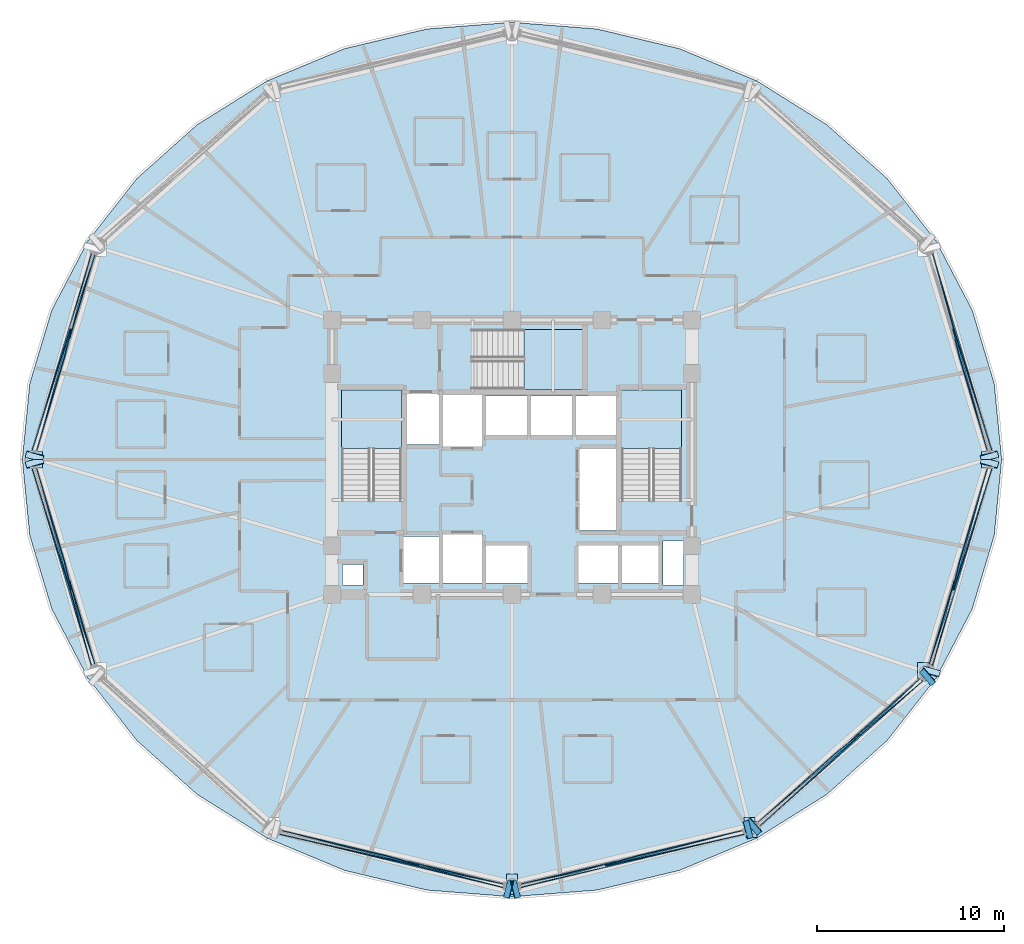
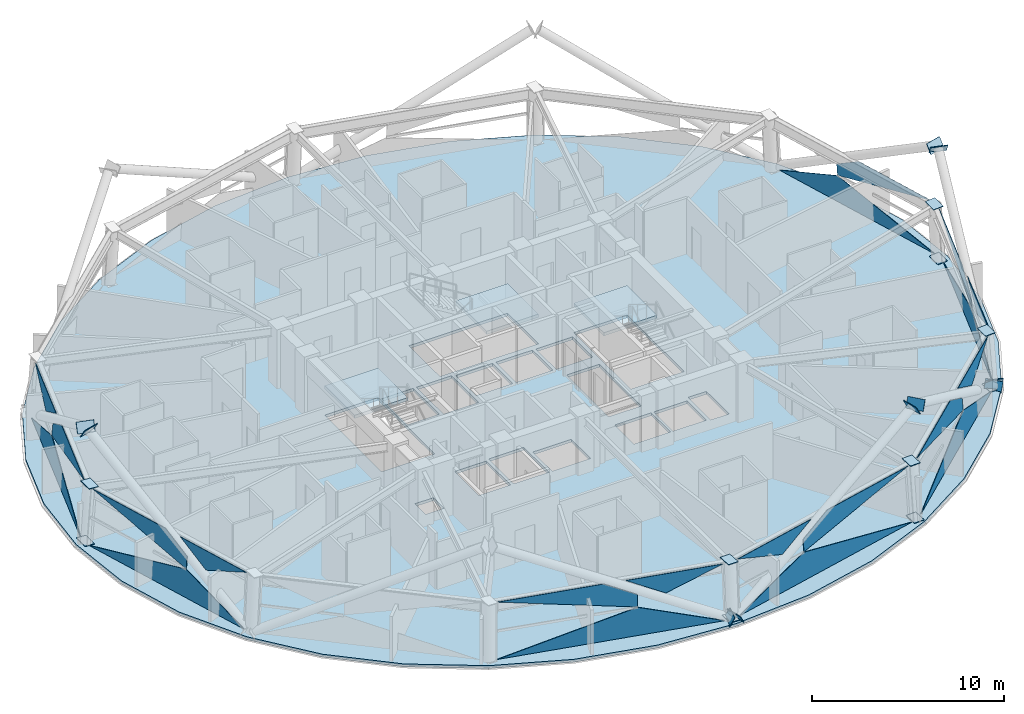
# One storey, part 4 of 14: 40 plates, 4 slabs, 10 elements without a shape of their own.
"""IFC4 building model written with IfcOpenShell, lengths in metres."""

from ifc_helpers import new_model, si_unit, direction, frame, origin, place, context, subcontext, project, spatial, polyline, outline, extrude, material, layer, layer_set, type_object, element, aggregate, save


model = new_model("IFC4")

# Units and contexts
model_context = context("Model", 3, precision=1e-05, world=origin(), true_north=direction((0.0, 1.0)))
body_context = subcontext(model_context, "Body", "Model", "MODEL_VIEW")
ifc_project = project(units=[si_unit("LENGTHUNIT", "METRE"), si_unit("AREAUNIT", "SQUARE_METRE"), si_unit("VOLUMEUNIT", "CUBIC_METRE"), si_unit("PLANEANGLEUNIT", "RADIAN"), si_unit("MASSUNIT", "GRAM", prefix="KILO")], contexts=[model_context])

# Site, building, storey
site_placement = place(None, origin())
site = spatial("IfcSite", under=ifc_project, at=site_placement, CompositionType="ELEMENT")
building_placement = place(site_placement, origin())
building = spatial("IfcBuilding", under=site, at=building_placement, Name="Vantalir Tower", CompositionType="ELEMENT")
storey_placement = place(building_placement, frame((0.0, 0.0, 112.199951171875)))
storey = spatial("IfcBuildingStorey", under=building, at=storey_placement, Name="L27", CompositionType="ELEMENT", Elevation=112.199951171875)

# Curtain wall, plates
ifc_material_1 = material(Name="Champagne-silver PVDF aluminium and double-silver Low-E glass", Category="aluminium")
ifc_layer_1 = layer(ifc_material_1, 0.199951171875)
ifc_layer_set_1 = layer_set([ifc_layer_1], Name="Champagne-silver PVDF aluminium and double-silver Low-E glass")
curtain_wall_type = type_object("IfcCurtainWallType", Name="CW-DIAMOND-Z2", PredefinedType="USERDEFINED", material=ifc_layer_set_1)
curtain_wall_1_placement = place(storey_placement, origin())
curtain_wall_1 = element("IfcCurtainWall", 1, at=curtain_wall_1_placement, inside=storey, type_object=curtain_wall_type, Name="L27 Quilted Pyramid-Diamond Curtain Wall S01", ObjectType="UNITISED CURTAIN WALL", PredefinedType="USERDEFINED")
ifc_material_2 = material(Name="Double-silver Low-E laminated glass IGU", Category="glass")
ifc_layer_2 = layer(ifc_material_2, 0.028076171875)
ifc_layer_set_2 = layer_set([ifc_layer_2], Name="Double-silver Low-E laminated glass IGU")
plate_type_1 = type_object("IfcPlateType", Name="CWP-IGU-28", PredefinedType="CURTAIN_PANEL", material=ifc_layer_set_2)
plate_1_placement = place(storey_placement, frame((57.14697265625, 25.435546875, 0.04638671875), z_axis=(0.956250051915, 0.287489428535, 0.054181793011), x_axis=(-0.287913490676, 0.957656421376, 2.2020152e-05)))
plate_1 = element("IfcPlate", 2, at=plate_1_placement, type_object=plate_type_1, Name="CW-L27-S01 Pyramid Diamond Facet 1L", PredefinedType="CURTAIN_PANEL", context=body_context, shape_type="SweptSolid", body=[
    extrude(outline(polyline([(0.0, 0.0), (11.08714518511539, -2.0383000842727483e-17), (6.868125258690707, 1.7291954401565304), (0.0, 0.0)])), origin(), (0.0, 0.0, -1.0), 0.028076171875),
])
plate_2_placement = place(storey_placement, frame((56.899169921875, 25.435791015625, 3.523681640625), z_axis=(0.954471363212, 0.286900137808, 0.081686765962), x_axis=(-0.28785851301, 0.957672947478, -4.6436917e-05)))
plate_2 = element("IfcPlate", 3, at=plate_2_placement, type_object=plate_type_1, Name="CW-L27-S01 Pyramid Diamond Facet 2U", PredefinedType="CURTAIN_PANEL", context=body_context, shape_type="SweptSolid", body=[
    extrude(outline(polyline([(0.0, 0.0), (5.164919996721921, -8.483881999699072e-18), (6.796688455748562, -0.9790304716501723), (6.796854231395574, -1.7322758961500324), (0.0, 0.0)])), origin(), (0.0, 0.0, -1.0), 0.028076171875),
])
aggregate(curtain_wall_1, [plate_1, plate_2])

curtain_wall_2_placement = place(storey_placement, origin())
curtain_wall_2 = element("IfcCurtainWall", 4, at=curtain_wall_2_placement, inside=storey, type_object=curtain_wall_type, Name="L27 Quilted Pyramid-Diamond Curtain Wall S06", ObjectType="UNITISED CURTAIN WALL", PredefinedType="USERDEFINED")
plate_3_placement = place(storey_placement, frame((9.045166015625, 36.05322265625, 0.046630859375), z_axis=(-0.956250051915, 0.287489428535, 0.054181793011), x_axis=(-0.287913490676, -0.957656421376, -2.2020152e-05)))
plate_3 = element("IfcPlate", 5, at=plate_3_placement, type_object=plate_type_1, Name="CW-L27-S06 Pyramid Diamond Facet 1L", PredefinedType="CURTAIN_PANEL", context=body_context, shape_type="SweptSolid", body=[
    extrude(outline(polyline([(0.0, 0.0), (11.08714518511539, 2.0383000842727483e-17), (4.21901992642468, 1.7291954401565306), (0.0, 0.0)])), origin(), (0.0, 0.0, -1.0), 0.028076171875),
])
plate_4_placement = place(storey_placement, frame((7.587646484375, 30.382080078125, 3.5234375), z_axis=(-0.954471363212, 0.286900137808, 0.081686765962), x_axis=(-0.28785851301, -0.957672947478, 4.6436917e-05)))
plate_4 = element("IfcPlate", 6, at=plate_4_placement, type_object=plate_type_1, Name="CW-L27-S06 Pyramid Diamond Facet 2U", PredefinedType="CURTAIN_PANEL", context=body_context, shape_type="SweptSolid", body=[
    extrude(outline(polyline([(0.0, 0.0), (5.164919996721921, 8.483881999699072e-18), (-1.6319342346736536, -1.7322758961500324), (-1.6317684590266406, -0.9790304716501723), (0.0, 0.0)])), origin(), (0.0, 0.0, -1.0), 0.028076171875),
])
plate_5_placement = place(storey_placement, frame((9.228271484375, 35.95166015625, 3.52587890625), z_axis=(-0.954485241207, 0.286888552598, 0.081565205236), x_axis=(-0.287843586316, -0.957677433752, 5.1957326e-05)))
plate_5 = element("IfcPlate", 7, at=plate_5_placement, type_object=plate_type_1, Name="CW-L27-S06 Pyramid Diamond Facet 2U Infill Light", PredefinedType="CURTAIN_PANEL", context=body_context, shape_type="SweptSolid", body=[
    extrude(outline(polyline([(0.0, 0.0), (4.698868158949879, 1.5449880957918438e-17), (2.7778726488676955, -1.1526666495825086), (0.0, 0.0)])), origin(), (0.0, 0.0, -1.0), 0.028076171875),
])
aggregate(curtain_wall_2, [plate_3, plate_4, plate_5])

curtain_wall_3_placement = place(storey_placement, origin())
curtain_wall_3 = element("IfcCurtainWall", 8, at=curtain_wall_3_placement, inside=storey, type_object=curtain_wall_type, Name="L27 Quilted Pyramid-Diamond Curtain Wall S07", ObjectType="UNITISED CURTAIN WALL", PredefinedType="USERDEFINED")
plate_6_placement = place(storey_placement, frame((5.85302734375, 24.564453125, 0.04638671875), z_axis=(-0.956250051915, -0.287489428535, 0.054181793011), x_axis=(0.287913490676, -0.957656421376, 2.2020152e-05)))
plate_6 = element("IfcPlate", 9, at=plate_6_placement, type_object=plate_type_1, Name="CW-L27-S07 Pyramid Diamond Facet 1L", PredefinedType="CURTAIN_PANEL", context=body_context, shape_type="SweptSolid", body=[
    extrude(outline(polyline([(0.0, 0.0), (11.08714518511539, -2.0383000842727483e-17), (6.868125258690707, 1.7291954401565304), (0.0, 0.0)])), origin(), (0.0, 0.0, -1.0), 0.028076171875),
])
plate_7_placement = place(storey_placement, frame((6.100830078125, 24.564208984375, 3.523681640625), z_axis=(-0.954471363212, -0.286900137808, 0.081686765962), x_axis=(0.28785851301, -0.957672947478, -4.6436917e-05)))
plate_7 = element("IfcPlate", 10, at=plate_7_placement, type_object=plate_type_1, Name="CW-L27-S07 Pyramid Diamond Facet 2U", PredefinedType="CURTAIN_PANEL", context=body_context, shape_type="SweptSolid", body=[
    extrude(outline(polyline([(0.0, 0.0), (5.164919996721921, -8.483881999699072e-18), (6.796688455748562, -0.9790304716501723), (6.796854231395574, -1.7322758961500324), (0.0, 0.0)])), origin(), (0.0, 0.0, -1.0), 0.028076171875),
])
plate_8_placement = place(storey_placement, frame((7.875732421875, 18.54833984375, 3.526123046875), z_axis=(-0.954485241207, -0.286888552598, 0.081565205236), x_axis=(0.287843586316, -0.957677433752, -5.1957326e-05)))
plate_8 = element("IfcPlate", 11, at=plate_8_placement, type_object=plate_type_1, Name="CW-L27-S07 Pyramid Diamond Facet 2U Infill Light", PredefinedType="CURTAIN_PANEL", context=body_context, shape_type="SweptSolid", body=[
    extrude(outline(polyline([(0.0, 0.0), (4.698868158949879, -1.5449880957918438e-17), (1.9209955100821836, -1.1526666495825089), (0.0, 0.0)])), origin(), (0.0, 0.0, -1.0), 0.028076171875),
])
aggregate(curtain_wall_3, [plate_6, plate_7, plate_8])

curtain_wall_4_placement = place(storey_placement, origin())
curtain_wall_4 = element("IfcCurtainWall", 12, at=curtain_wall_4_placement, inside=storey, type_object=curtain_wall_type, Name="L27 Quilted Pyramid-Diamond Curtain Wall S09", ObjectType="UNITISED CURTAIN WALL", PredefinedType="USERDEFINED")
plate_9_placement = place(storey_placement, frame((19.053466796875, 4.994384765625, 0.04638671875), z_axis=(-0.23200718016, -0.971513603298, 0.048311354362), x_axis=(0.972649563879, -0.23227747522, 1.9781764e-05)))
plate_9 = element("IfcPlate", 13, at=plate_9_placement, type_object=plate_type_1, Name="CW-L27-S09 Pyramid Diamond Facet 1L", PredefinedType="CURTAIN_PANEL", context=body_context, shape_type="SweptSolid", body=[
    extrude(outline(polyline([(0.0, 0.0), (12.341701303755851, -2.973424458041496e-17), (7.644293803098523, 1.7291628051428056), (0.0, 0.0)])), origin(), (0.0, 0.0, -1.0), 0.028076171875),
])
plate_10_placement = place(storey_placement, frame((19.177490234375, 5.187255859375, 3.523681640625), z_axis=(-0.231669155599, -0.969844123046, 0.075708515614), x_axis=(0.972635603784, -0.232335925442, 4.90982e-07)))
plate_10 = element("IfcPlate", 14, at=plate_10_placement, type_object=plate_type_1, Name="CW-L27-S09 Pyramid Diamond Facet 2U", PredefinedType="CURTAIN_PANEL", context=body_context, shape_type="SweptSolid", body=[
    extrude(outline(polyline([(0.0, 0.0), (5.771197925960725, -1.3877787807814457e-17), (7.56851677454341, -0.9761940728206655), (7.568626333196413, -1.7322674259970217), (0.0, 0.0)])), origin(), (0.0, 0.0, -1.0), 0.028076171875),
])
plate_11_placement = place(storey_placement, frame((25.94482421875, 3.5380859375, 3.526123046875), z_axis=(-0.231660806361, -0.969836826679, 0.075827438393), x_axis=(0.972636269457, -0.232333134041, -4.651314e-05)))
plate_11 = element("IfcPlate", 15, at=plate_11_placement, type_object=plate_type_1, Name="CW-L27-S09 Pyramid Diamond Facet 2U Infill Light", PredefinedType="CURTAIN_PANEL", context=body_context, shape_type="SweptSolid", body=[
    extrude(outline(polyline([(0.0, 0.0), (5.248852803140406, 2.7484525072507537e-17), (2.1368295359106915, -1.1604682129141748), (0.0, 0.0)])), origin(), (0.0, 0.0, -1.0), 0.028076171875),
])
aggregate(curtain_wall_4, [plate_9, plate_10, plate_11])

curtain_wall_5_placement = place(storey_placement, origin())
curtain_wall_5 = element("IfcCurtainWall", 16, at=curtain_wall_5_placement, inside=storey, type_object=curtain_wall_type, Name="L27 Quilted Pyramid-Diamond Curtain Wall S10", ObjectType="UNITISED CURTAIN WALL", PredefinedType="USERDEFINED")
plate_12_placement = place(storey_placement, frame((31.9423828125, 2.127685546875, 0.046630859375), z_axis=(0.23200718016, -0.971513603298, 0.048311354362), x_axis=(0.972649563879, 0.23227747522, -1.9781764e-05)))
plate_12 = element("IfcPlate", 17, at=plate_12_placement, type_object=plate_type_1, Name="CW-L27-S10 Pyramid Diamond Facet 1L", PredefinedType="CURTAIN_PANEL", context=body_context, shape_type="SweptSolid", body=[
    extrude(outline(polyline([(0.0, 0.0), (12.341701303755851, 2.973424458041496e-17), (4.697407500657327, 1.7291628051428056), (0.0, 0.0)])), origin(), (0.0, 0.0, -1.0), 0.028076171875),
])
plate_13_placement = place(storey_placement, frame((38.209228515625, 3.846435546875, 3.523681640625), z_axis=(0.231669155599, -0.969844123046, 0.075708515614), x_axis=(0.972635603784, 0.232335925442, -4.90982e-07)))
plate_13 = element("IfcPlate", 18, at=plate_13_placement, type_object=plate_type_1, Name="CW-L27-S10 Pyramid Diamond Facet 2U", PredefinedType="CURTAIN_PANEL", context=body_context, shape_type="SweptSolid", body=[
    extrude(outline(polyline([(0.0, 0.0), (5.771197925960725, 1.3877787807814457e-17), (-1.7974284072356879, -1.7322674259970217), (-1.7973188485826848, -0.9761940728206655), (0.0, 0.0)])), origin(), (0.0, 0.0, -1.0), 0.028076171875),
])
plate_14_placement = place(storey_placement, frame((31.949951171875, 2.318603515625, 3.52587890625), z_axis=(0.231660806361, -0.969836826679, 0.075827438393), x_axis=(0.972636269457, 0.232333134041, 4.651314e-05)))
plate_14 = element("IfcPlate", 19, at=plate_14_placement, type_object=plate_type_1, Name="CW-L27-S10 Pyramid Diamond Facet 2U Infill Light", PredefinedType="CURTAIN_PANEL", context=body_context, shape_type="SweptSolid", body=[
    extrude(outline(polyline([(0.0, 0.0), (5.248852803140406, -2.7484525072507537e-17), (3.1120232672297137, -1.1604682129141748), (0.0, 0.0)])), origin(), (0.0, 0.0, -1.0), 0.028076171875),
])
aggregate(curtain_wall_5, [plate_12, plate_13, plate_14])

curtain_wall_6_placement = place(storey_placement, origin())
curtain_wall_6 = element("IfcCurtainWall", 20, at=curtain_wall_6_placement, inside=storey, type_object=curtain_wall_type, Name="L27 Quilted Pyramid-Diamond Curtain Wall S11", ObjectType="UNITISED CURTAIN WALL", PredefinedType="USERDEFINED")
plate_15_placement = place(storey_placement, frame((44.728515625, 5.40283203125, 0.04638671875), z_axis=(0.664559537253, -0.74548229328, 0.051154392301), x_axis=(0.746458880682, 0.66543154345, 2.0813598e-05)))
plate_15 = element("IfcPlate", 21, at=plate_15_placement, type_object=plate_type_1, Name="CW-L27-S11 Pyramid Diamond Facet 1L", PredefinedType="CURTAIN_PANEL", context=body_context, shape_type="SweptSolid", body=[
    extrude(outline(polyline([(0.0, 0.0), (11.729861619438788, 6.743737512859838e-17), (7.251098528158779, 1.7291637556908905), (0.0, 0.0)])), origin(), (0.0, 0.0, -1.0), 0.028076171875),
])
plate_16_placement = place(storey_placement, frame((44.604736328125, 5.595703125, 3.523681640625), z_axis=(0.66332795078, -0.744234257289, 0.078175443656), x_axis=(0.746521268511, 0.665361551026, -4.5583346e-05)))
plate_16 = element("IfcPlate", 22, at=plate_16_placement, type_object=plate_type_1, Name="CW-L27-S11 Pyramid Diamond Facet 2U", PredefinedType="CURTAIN_PANEL", context=body_context, shape_type="SweptSolid", body=[
    extrude(outline(polyline([(0.0, 0.0), (5.494489195041637, -2.2822455730819868e-17), (7.215133158723456, -0.9765366403300038), (7.215108771056951, -1.7320288825229808), (0.0, 0.0)])), origin(), (0.0, 0.0, -1.0), 0.028076171875),
])
plate_17_placement = place(storey_placement, frame((49.588623046875, 9.9951171875, 3.526123046875), z_axis=(0.663302755406, -0.744259361132, 0.078150227372), x_axis=(0.746545157546, 0.665334746817, -4.9218431e-05)))
plate_17 = element("IfcPlate", 23, at=plate_17_placement, type_object=plate_type_1, Name="CW-L27-S11 Pyramid Diamond Facet 2U Infill Light", PredefinedType="CURTAIN_PANEL", context=body_context, shape_type="SweptSolid", body=[
    extrude(outline(polyline([(0.0, 0.0), (4.96034963533926, 5.1662233518934286e-17), (2.033237502659812, -1.1543091809518697), (0.0, 0.0)])), origin(), (0.0, 0.0, -1.0), 0.028076171875),
])
aggregate(curtain_wall_6, [plate_15, plate_16, plate_17])

curtain_wall_7_placement = place(storey_placement, origin())
curtain_wall_7 = element("IfcCurtainWall", 24, at=curtain_wall_7_placement, inside=storey, type_object=curtain_wall_type, Name="L27 Quilted Pyramid-Diamond Curtain Wall S12", ObjectType="UNITISED CURTAIN WALL", PredefinedType="USERDEFINED")
plate_18_placement = place(storey_placement, frame((53.954833984375, 13.94677734375, 0.046630859375), z_axis=(0.956250051915, -0.287489428535, 0.054181793011), x_axis=(0.287913490676, 0.957656421376, -2.2020152e-05)))
plate_18 = element("IfcPlate", 25, at=plate_18_placement, type_object=plate_type_1, Name="CW-L27-S12 Pyramid Diamond Facet 1L", PredefinedType="CURTAIN_PANEL", context=body_context, shape_type="SweptSolid", body=[
    extrude(outline(polyline([(0.0, 0.0), (11.08714518511539, 2.0383000842727483e-17), (4.21901992642468, 1.7291954401565306), (0.0, 0.0)])), origin(), (0.0, 0.0, -1.0), 0.028076171875),
])
plate_19_placement = place(storey_placement, frame((55.412353515625, 19.617919921875, 3.5234375), z_axis=(0.954471363212, -0.286900137808, 0.081686765962), x_axis=(0.28785851301, 0.957672947478, 4.6436917e-05)))
plate_19 = element("IfcPlate", 26, at=plate_19_placement, type_object=plate_type_1, Name="CW-L27-S12 Pyramid Diamond Facet 2U", PredefinedType="CURTAIN_PANEL", context=body_context, shape_type="SweptSolid", body=[
    extrude(outline(polyline([(0.0, 0.0), (5.164919996721921, 8.483881999699072e-18), (-1.6319342346736536, -1.7322758961500324), (-1.6317684590266406, -0.9790304716501723), (0.0, 0.0)])), origin(), (0.0, 0.0, -1.0), 0.028076171875),
])
plate_20_placement = place(storey_placement, frame((53.771728515625, 14.04833984375, 3.52587890625), z_axis=(0.954485241207, -0.286888552598, 0.081565205236), x_axis=(0.287843586316, 0.957677433752, 5.1957326e-05)))
plate_20 = element("IfcPlate", 27, at=plate_20_placement, type_object=plate_type_1, Name="CW-L27-S12 Pyramid Diamond Facet 2U Infill Light", PredefinedType="CURTAIN_PANEL", context=body_context, shape_type="SweptSolid", body=[
    extrude(outline(polyline([(0.0, 0.0), (4.698868158949879, 1.5449880957918438e-17), (2.7778726488676955, -1.1526666495825086), (0.0, 0.0)])), origin(), (0.0, 0.0, -1.0), 0.028076171875),
])
aggregate(curtain_wall_7, [plate_18, plate_19, plate_20])

# Plates
ifc_material_3 = material(Name="Steel S460", Category="steel")
ifc_layer_3 = layer(ifc_material_3, 0.0400390625)
ifc_layer_set_3 = layer_set([ifc_layer_3], Name="Steel S460")
plate_type_2 = type_object("IfcPlateType", Name="PLT-KN-Z1", PredefinedType="USERDEFINED", material=ifc_layer_set_3)
plate_21_placement = place(storey_placement, frame((56.572021484375, 24.8740234375, 6.87744140625), z_axis=(0.230413049881, -0.826004888526, 0.514417875444), x_axis=(0.963235268527, 0.26865929071, -5.4602496e-05)))
element("IfcPlate", 28, at=plate_21_placement, inside=storey, type_object=plate_type_2, Name="Node Cap Plate MEM-DG-L27-R04R End", ObjectType="FLANGE_PLATE", PredefinedType="USERDEFINED", context=body_context, shape_type="SweptSolid", body=[
    extrude(outline(polyline([(0.0, 0.0), (0.9499401233472033, 0.0), (0.9499468478382096, 0.6201347686760146), (-5.8866156139709576e-05, 0.620013792596543), (0.0, 0.0)])), origin(), (0.0, 0.0, -1.0), 0.0400390625),
])
plate_22_placement = place(storey_placement, frame((5.512939453125, 25.129150390625, 6.87744140625), z_axis=(-0.230413049881, -0.826004888526, 0.514417875444), x_axis=(0.963235268527, -0.26865929071, 5.4602496e-05)))
element("IfcPlate", 29, at=plate_22_placement, inside=storey, type_object=plate_type_2, Name="Node Cap Plate MEM-DG-L27-R16L End", ObjectType="FLANGE_PLATE", PredefinedType="USERDEFINED", context=body_context, shape_type="SweptSolid", body=[
    extrude(outline(polyline([(0.0, 0.0), (0.9499401233472033, 0.0), (0.9499989895033432, 0.6200137925965429), (-6.724491006270373e-06, 0.6201347686760146), (0.0, 0.0)])), origin(), (0.0, 0.0, -1.0), 0.0400390625),
])
plate_23_placement = place(storey_placement, frame((6.427978515625, 25.1259765625, 6.87744140625), z_axis=(-0.230413049881, 0.826004888526, 0.514417875444), x_axis=(-0.963235268527, -0.26865929071, -5.4602496e-05)))
element("IfcPlate", 30, at=plate_23_placement, inside=storey, type_object=plate_type_2, Name="Node Cap Plate MEM-DG-L27-R22R End", ObjectType="FLANGE_PLATE", PredefinedType="USERDEFINED", context=body_context, shape_type="SweptSolid", body=[
    extrude(outline(polyline([(0.0, 0.0), (0.9499401233472033, 0.0), (0.9499468478382096, 0.6201347686760146), (-5.8866156139709576e-05, 0.620013792596543), (0.0, 0.0)])), origin(), (0.0, 0.0, -1.0), 0.0400390625),
])
for number, where, z_axis, x_axis, name in (
    (31, (31.955322265625, 1.6484375, -0.08349609375), (0.851198547078, 0.218163384579, 0.477352878991), (-0.248276411705, 0.968689229521, 0.0), "Node Cap Plate MEM-DG-L27-R28L Start"),
    (32, (44.3662109375, 4.82861328125, 6.8779296875), (0.851198547078, 0.218163384579, 0.477352878991), (-0.248276411705, 0.968689229521, 0.0), "Node Cap Plate MEM-DG-L27-R28L End"),
):
    element("IfcPlate", number, at=place(storey_placement, frame(where, z_axis=z_axis, x_axis=x_axis)), inside=storey, type_object=plate_type_2, Name=name, ObjectType="FLANGE_PLATE", PredefinedType="USERDEFINED", context=body_context, shape_type="SweptSolid", body=[
        extrude(outline(polyline([(0.0, 0.0), (0.9499083788509355, 0.0), (0.9498842209545009, 0.6198594401507656), (-2.4157896434472415e-05, 0.6198594401507656), (0.0, 0.0)])), origin(), (0.0, 0.0, -1.0), 0.0400390625),
    ])
plate_24_placement = place(storey_placement, frame((31.280517578125, 2.568603515625, -0.08349609375), z_axis=(-0.851198547078, 0.218163384579, 0.477352878991), x_axis=(-0.248276411705, -0.968689229521, 0.0)))
element("IfcPlate", 33, at=plate_24_placement, inside=storey, type_object=plate_type_2, Name="Node Cap Plate MEM-DG-L27-R28R Start", ObjectType="FLANGE_PLATE", PredefinedType="USERDEFINED", context=body_context, shape_type="SweptSolid", body=[
    extrude(outline(polyline([(0.0, 0.0), (0.9499083788509355, 0.0), (0.9499325367473699, 0.6198594401507656), (2.4157896434472415e-05, 0.6198594401507656), (0.0, 0.0)])), origin(), (0.0, 0.0, -1.0), 0.0400390625),
])
plate_25_placement = place(storey_placement, frame((54.376953125, 13.725341796875, -0.068359375), z_axis=(0.230464762677, 0.825795344658, 0.514731038413), x_axis=(-0.963193206575, 0.268810057118, 0.0)))
element("IfcPlate", 34, at=plate_25_placement, inside=storey, type_object=plate_type_2, Name="Node Cap Plate MEM-DG-L27-R34L Start", ObjectType="FLANGE_PLATE", PredefinedType="USERDEFINED", context=body_context, shape_type="SweptSolid", body=[
    extrude(outline(polyline([(0.0, 0.0), (0.9500057270479744, 0.0), (0.9499200223596288, 0.6199254438717673), (-8.57046883456301e-05, 0.6199254438717673), (0.0, 0.0)])), origin(), (0.0, 0.0, -1.0), 0.0400390625),
])
plate_26_placement = place(storey_placement, frame((57.487060546875, 24.870849609375, 6.87744140625), z_axis=(0.230413049881, 0.826004888526, 0.514417875444), x_axis=(-0.963235268527, 0.26865929071, 5.4602496e-05)))
element("IfcPlate", 35, at=plate_26_placement, inside=storey, type_object=plate_type_2, Name="Node Cap Plate MEM-DG-L27-R34L End", ObjectType="FLANGE_PLATE", PredefinedType="USERDEFINED", context=body_context, shape_type="SweptSolid", body=[
    extrude(outline(polyline([(0.0, 0.0), (0.9499401233472033, 0.0), (0.9499989895033432, 0.6200137925965429), (-6.724491006270373e-06, 0.6201347686760146), (0.0, 0.0)])), origin(), (0.0, 0.0, -1.0), 0.0400390625),
])
plate_27_placement = place(storey_placement, frame((53.247802734375, 13.64208984375, -0.076904296875), z_axis=(-0.659323366185, -0.566810275658, 0.493982601121), x_axis=(0.651935390313, -0.758274515462, 7.783461e-05)))
element("IfcPlate", 36, at=plate_27_placement, inside=storey, type_object=plate_type_2, Name="Node Cap Plate MEM-DG-L27-R34R Start", ObjectType="FLANGE_PLATE", PredefinedType="USERDEFINED", context=body_context, shape_type="SweptSolid", body=[
    extrude(outline(polyline([(0.0, 0.0), (0.9499194106047693, 0.0), (0.9500786234649, 0.6199034410543653), (0.00013325115965506597, 0.6200735158488239), (0.0, 0.0)])), origin(), (0.0, 0.0, -1.0), 0.0400390625),
])
plate_28_placement = place(storey_placement, frame((43.963134765625, 5.659912109375, 6.877685546875), z_axis=(-0.65932243996, -0.566825154245, 0.493966764753), x_axis=(0.651912226337, -0.75829443434, 0.0)))
element("IfcPlate", 37, at=plate_28_placement, inside=storey, type_object=plate_type_2, Name="Node Cap Plate MEM-DG-L27-R34R End", ObjectType="FLANGE_PLATE", PredefinedType="USERDEFINED", context=body_context, shape_type="SweptSolid", body=[
    extrude(outline(polyline([(0.0, 0.0), (0.9501045395402512, -5.551115123125783e-17), (0.9500273129671057, 0.6199820736218934), (-7.722657314530777e-05, 0.6199820736218935), (0.0, 0.0)])), origin(), (0.0, 0.0, -1.0), 0.0400390625),
])
ifc_layer_4 = layer(ifc_material_3, 0.035888671875)
ifc_layer_set_4 = layer_set([ifc_layer_4], Name="Steel S460")
plate_type_3 = type_object("IfcPlateType", Name="PLT-KN-Z2", PredefinedType="USERDEFINED", material=ifc_layer_set_4)
for number, where, z_axis, x_axis, name in (
    (38, (56.548828125, 25.43994140625, 3.577880859375), (-0.069452140074, 0.0, 0.997585284695), (0.0, -1.0, 0.0), "L27 Ring Column Top Cap RC01"),
    (39, (56.794921875, 25.43994140625, 0.03271484375), (-0.069452140074, 0.0, 0.997585284695), (0.0, -1.0, 0.0), "L27 Ring Column Base Cap RC01"),
    (40, (5.87255859375, 25.43994140625, 3.6181640625), (0.069452140074, 0.0, 0.997585284695), (0.0, -1.0, 0.0), "L27 Ring Column Top Cap RC07"),
    (41, (5.62646484375, 25.43994140625, 0.072998046875), (0.069452140074, 0.0, 0.997585284695), (0.0, -1.0, 0.0), "L27 Ring Column Base Cap RC07"),
):
    element("IfcPlate", number, at=place(storey_placement, frame(where, z_axis=z_axis, x_axis=x_axis)), inside=storey, type_object=plate_type_3, Name=name, ObjectType="FLANGE_PLATE", PredefinedType="USERDEFINED", context=body_context, shape_type="SweptSolid", body=[
        extrude(outline(polyline([(0.0, 0.0), (0.8798828125, 0.0), (0.8798828125, 0.5800138495699061), (0.0, 0.5800138495699061), (0.0, 0.0)])), origin(), (0.0, 0.0, -1.0), 0.035888671875),
    ])
plate_29_placement = place(storey_placement, frame((31.2099609375, 2.875, 3.57080078125), z_axis=(0.0, 0.061860176778, 0.998084825317), x_axis=(0.0, -0.998084825317, 0.061860176778)))
element("IfcPlate", 42, at=plate_29_placement, inside=storey, type_object=plate_type_3, Name="L27 Ring Column Top Cap RC10", ObjectType="FLANGE_PLATE", PredefinedType="USERDEFINED", context=body_context, shape_type="SweptSolid", body=[
    extrude(outline(polyline([(0.0, 0.0), (0.8801035207308919, 0.0), (0.8801035207308919, 0.5800781249999999), (0.0, 0.5800781249999999), (0.0, 0.0)])), origin(), (0.0, 0.0, -1.0), 0.035888671875),
])
plate_30_placement = place(storey_placement, frame((31.2099609375, 2.654541015625, 0.025634765625), z_axis=(0.0, 0.062136508029, 0.998067660216), x_axis=(0.0, -0.998067660216, 0.062136508029)))
element("IfcPlate", 43, at=plate_30_placement, inside=storey, type_object=plate_type_3, Name="L27 Ring Column Base Cap RC10", ObjectType="FLANGE_PLATE", PredefinedType="USERDEFINED", context=body_context, shape_type="SweptSolid", body=[
    extrude(outline(polyline([(0.0, 0.0), (0.8801186570452453, 0.0), (0.8801186570452453, 0.580078125), (0.0, 0.580078125), (0.0, 0.0)])), origin(), (0.0, 0.0, -1.0), 0.035888671875),
])
plate_31_placement = place(storey_placement, frame((43.879150390625, 5.897216796875, 3.564208984375), z_axis=(-0.034793349991, 0.053654888269, 0.997953193172), x_axis=(4.816866e-06, -0.99855778284, 0.053687561931)))
element("IfcPlate", 44, at=plate_31_placement, inside=storey, type_object=plate_type_3, Name="L27 Ring Column Top Cap RC11", ObjectType="FLANGE_PLATE", PredefinedType="USERDEFINED", context=body_context, shape_type="SweptSolid", body=[
    extrude(outline(polyline([(0.0, 0.0), (0.8799377068985434, 2.168404344971009e-19), (0.879796355922847, 0.5799367412963384), (-0.0001282436607718295, 0.5799452234525825), (0.0, 0.0)])), origin(), (0.0, 0.0, -1.0), 0.035888671875),
])
plate_32_placement = place(storey_placement, frame((44.00244140625, 5.706787109375, 0.019287109375), z_axis=(-0.034572135858, 0.053786092726, 0.997953818396), x_axis=(-2.5789e-07, -0.998550747488, 0.053818256106)))
element("IfcPlate", 45, at=plate_32_placement, inside=storey, type_object=plate_type_3, Name="L27 Ring Column Base Cap RC11", ObjectType="FLANGE_PLATE", PredefinedType="USERDEFINED", context=body_context, shape_type="SweptSolid", body=[
    extrude(outline(polyline([(0.0, 0.0), (0.8801815021100597, 0.0), (0.8800398348818085, 0.579936753976696), (0.0001021195753348476, 0.5799362997885369), (0.0, 0.0)])), origin(), (0.0, 0.0, -1.0), 0.035888671875),
])
plate_33_placement = place(storey_placement, frame((53.15380859375, 14.1572265625, 3.56689453125), z_axis=(-0.060200582555, 0.03101384697, 0.997704380644), x_axis=(0.0, -0.999517204822, 0.031070198984)))
element("IfcPlate", 46, at=plate_33_placement, inside=storey, type_object=plate_type_3, Name="L27 Ring Column Top Cap RC12", ObjectType="FLANGE_PLATE", PredefinedType="USERDEFINED", context=body_context, shape_type="SweptSolid", body=[
    extrude(outline(polyline([(0.0, 0.0), (0.880063562319266, 0.0), (0.8801721974841712, 0.5801537873216641), (0.00010863516490533119, 0.5801537873216641), (0.0, 0.0)])), origin(), (0.0, 0.0, -1.0), 0.035888671875),
])
plate_34_placement = place(storey_placement, frame((53.367431640625, 14.046875, 0.021728515625), z_axis=(-0.060232397464, 0.031018087663, 0.99770232862), x_axis=(-2.59144e-07, -0.999517071379, 0.031074491501)))
element("IfcPlate", 47, at=plate_34_placement, inside=storey, type_object=plate_type_3, Name="L27 Ring Column Base Cap RC12", ObjectType="FLANGE_PLATE", PredefinedType="USERDEFINED", context=body_context, shape_type="SweptSolid", body=[
    extrude(outline(polyline([(0.0, 0.0), (0.8800635623111206, 0.0), (0.8799281747372317, 0.5799105465610805), (0.00010863514861577284, 0.5799100896683621), (0.0, 0.0)])), origin(), (0.0, 0.0, -1.0), 0.035888671875),
])

# Stair, slab
ifc_material_4 = material(Name="Concrete C40/50", Category="concrete")
stair_type = type_object("IfcStairType", Name="STR-CORE-1450", PredefinedType="HALF_TURN_STAIR", material=ifc_material_4)
stair_1_placement = place(storey_placement, origin())
stair_1 = element("IfcStair", 48, at=stair_1_placement, inside=storey, type_object=stair_type, Name="L27 Core Exit Stair 1", PredefinedType="HALF_TURN_STAIR")
ifc_layer_5 = layer(ifc_material_4, 0.199951171875)
ifc_layer_set_5 = layer_set([ifc_layer_5], Name="Concrete C40/50")
slab_type_1 = type_object("IfcSlabType", Name="SL-LAND-200", PredefinedType="LANDING", material=ifc_layer_set_5)
slab_1_placement = place(storey_placement, frame((0.0, 0.0, 1.675048828125)))
slab_1 = element("IfcSlab", 49, at=slab_1_placement, type_object=slab_type_1, Name="ST1 landing 1", PredefinedType="LANDING", context=body_context, shape_type="SweptSolid", body=[
    extrude(outline(polyline([(25.60009765625, 25.590087890625), (25.60009765625, 28.699951171875), (22.39990234375, 28.699951171875), (22.39990234375, 25.590087890625), (25.60009765625, 25.590087890625)])), origin(), (0.0, 0.0, 1.0), 0.199951171875),
])
aggregate(stair_1, [slab_1])

stair_2_placement = place(storey_placement, origin())
stair_2 = element("IfcStair", 50, at=stair_2_placement, inside=storey, type_object=stair_type, Name="L27 Core Exit Stair 2", PredefinedType="HALF_TURN_STAIR")
slab_2_placement = place(storey_placement, frame((0.0, 0.0, 1.675048828125)))
slab_2 = element("IfcSlab", 51, at=slab_2_placement, type_object=slab_type_1, Name="ST2 landing 1", PredefinedType="LANDING", context=body_context, shape_type="SweptSolid", body=[
    extrude(outline(polyline([(40.550048828125, 25.590087890625), (40.550048828125, 28.699951171875), (37.35009765625, 28.699951171875), (37.35009765625, 25.590087890625), (40.550048828125, 25.590087890625)])), origin(), (0.0, 0.0, 1.0), 0.199951171875),
])
aggregate(stair_2, [slab_2])

stair_3_placement = place(storey_placement, origin())
stair_3 = element("IfcStair", 52, at=stair_3_placement, inside=storey, type_object=stair_type, Name="L27 Core Exit Stair 3", PredefinedType="HALF_TURN_STAIR")
slab_3_placement = place(storey_placement, frame((0.0, 0.0, 1.675048828125)))
slab_3 = element("IfcSlab", 53, at=slab_3_placement, type_object=slab_type_1, Name="ST3 landing 1", PredefinedType="LANDING", context=body_context, shape_type="SweptSolid", body=[
    extrude(outline(polyline([(32.139892578125, 28.75), (35.25, 28.75), (35.25, 31.949951171875), (32.139892578125, 31.949951171875), (32.139892578125, 28.75)])), origin(), (0.0, 0.0, 1.0), 0.199951171875),
])
aggregate(stair_3, [slab_3])

# Slab
ifc_layer_6 = layer(ifc_material_4, 0.179931640625)
ifc_layer_set_6 = layer_set([ifc_layer_6], Name="Concrete C40/50")
slab_type_2 = type_object("IfcSlabType", Name="SL-TWR-180", PredefinedType="FLOOR", material=ifc_layer_set_6)
slab_4_placement = place(storey_placement, frame((0.0, 0.0, -0.179931640625)))
element("IfcSlab", 54, at=slab_4_placement, inside=storey, type_object=slab_type_2, Name="L27 Primary Structural Slab", PredefinedType="FLOOR", context=body_context, shape_type="SweptSolid", body=[
    extrude(outline(polyline([(8.864013671875, 13.3310546875), (11.47705078125, 9.9990234375), (14.698974609375, 7.1220703125), (18.430908203125, 4.7890625), (22.56005859375, 3.069091796875), (26.9609375, 2.01708984375), (31.5, 1.662109375), (36.0390625, 2.01708984375), (40.43994140625, 3.069091796875), (44.569091796875, 4.7890625), (48.301025390625, 7.1220703125), (51.52294921875, 9.9990234375), (54.135986328125, 13.3310546875), (56.06201171875, 17.01806640625), (57.240966796875, 20.947021484375), (57.637939453125, 25.0), (57.240966796875, 29.052978515625), (56.06201171875, 32.98193359375), (54.135986328125, 36.6689453125), (51.52294921875, 40.0009765625), (48.301025390625, 42.8779296875), (44.569091796875, 45.2109375), (40.43994140625, 46.930908203125), (36.0390625, 47.98291015625), (31.5, 48.337890625), (26.9609375, 47.98291015625), (22.56005859375, 46.930908203125), (18.430908203125, 45.2109375), (14.698974609375, 42.8779296875), (11.47705078125, 40.0009765625), (8.864013671875, 36.6689453125), (6.93798828125, 32.98193359375), (5.759033203125, 29.052978515625), (5.362060546875, 25.0), (5.759033203125, 20.947021484375), (6.93798828125, 17.01806640625), (8.864013671875, 13.3310546875)]), holes=[polyline([(22.39990234375, 22.7900390625), (22.39990234375, 28.699951171875), (25.60009765625, 28.699951171875), (25.60009765625, 22.7900390625), (22.39990234375, 22.7900390625)]), polyline([(37.35009765625, 28.699951171875), (40.550048828125, 28.699951171875), (40.550048828125, 22.7900390625), (37.35009765625, 22.7900390625), (37.35009765625, 28.699951171875)]), polyline([(35.25, 28.75), (29.340087890625, 28.75), (29.340087890625, 31.949951171875), (35.25, 31.949951171875), (35.25, 28.75)]), polyline([(27.60009765625, 18.39990234375), (25.699951171875, 18.39990234375), (25.699951171875, 20.89990234375), (27.60009765625, 20.89990234375), (27.60009765625, 18.39990234375)]), polyline([(25.699951171875, 25.800048828125), (25.699951171875, 28.5), (27.60009765625, 28.5), (27.60009765625, 25.800048828125), (25.699951171875, 25.800048828125)]), polyline([(27.800048828125, 21.0), (29.89990234375, 21.0), (29.89990234375, 18.39990234375), (27.800048828125, 18.39990234375), (27.800048828125, 21.0)]), polyline([(29.89990234375, 28.5), (29.89990234375, 25.699951171875), (27.800048828125, 25.699951171875), (27.800048828125, 28.5), (29.89990234375, 28.5)]), polyline([(32.39990234375, 18.39990234375), (30.10009765625, 18.39990234375), (30.10009765625, 20.39990234375), (32.39990234375, 20.39990234375), (32.39990234375, 18.39990234375)]), polyline([(37.35009765625, 18.39990234375), (37.35009765625, 20.39990234375), (39.35009765625, 20.39990234375), (39.35009765625, 18.39990234375), (37.35009765625, 18.39990234375)]), polyline([(35.0, 20.39990234375), (37.199951171875, 20.39990234375), (37.199951171875, 18.39990234375), (35.0, 18.39990234375), (35.0, 20.39990234375)]), polyline([(32.300048828125, 28.39990234375), (32.300048828125, 26.300048828125), (30.10009765625, 26.300048828125), (30.10009765625, 28.39990234375), (32.300048828125, 28.39990234375)]), polyline([(34.699951171875, 26.300048828125), (32.5, 26.300048828125), (32.5, 28.39990234375), (34.699951171875, 28.39990234375), (34.699951171875, 26.300048828125)]), polyline([(34.89990234375, 26.300048828125), (34.89990234375, 28.39990234375), (37.10009765625, 28.39990234375), (37.10009765625, 26.300048828125), (34.89990234375, 26.300048828125)]), polyline([(35.10009765625, 25.56005859375), (37.06005859375, 25.56005859375), (37.06005859375, 21.199951171875), (35.10009765625, 21.199951171875), (35.10009765625, 25.56005859375)]), polyline([(23.550048828125, 19.39990234375), (23.550048828125, 18.300048828125), (22.449951171875, 18.300048828125), (22.449951171875, 19.39990234375), (23.550048828125, 19.39990234375)]), polyline([(40.64990234375, 18.300048828125), (39.550048828125, 18.300048828125), (39.550048828125, 20.64990234375), (40.64990234375, 20.64990234375), (40.64990234375, 18.300048828125)])]), origin(), (0.0, 0.0, 1.0), 0.179931640625),
])

save(model, "model.ifc")
